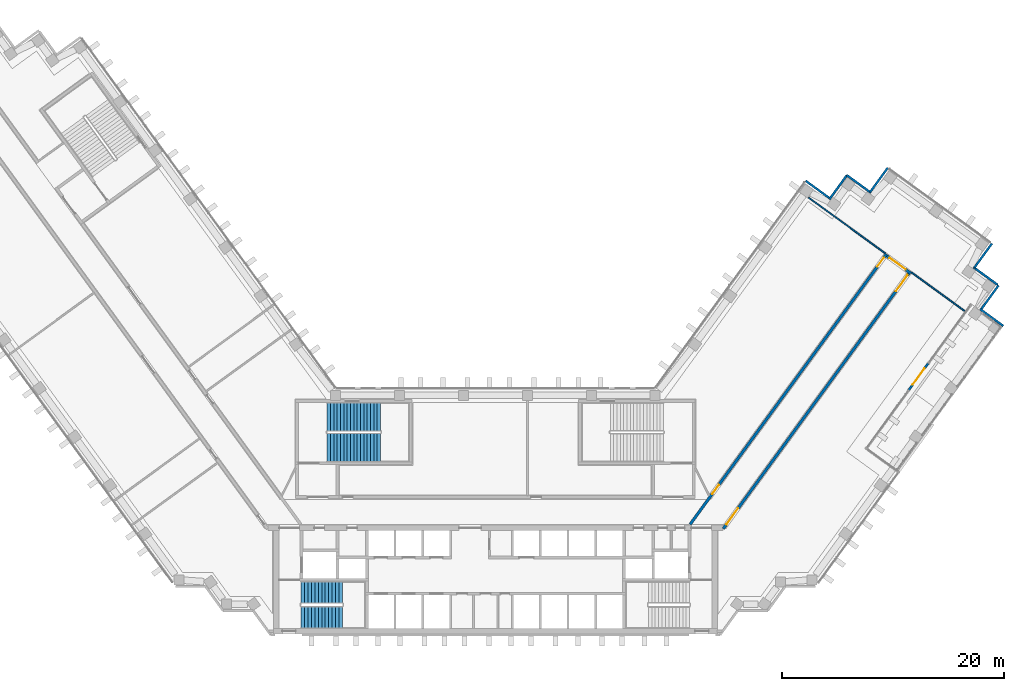
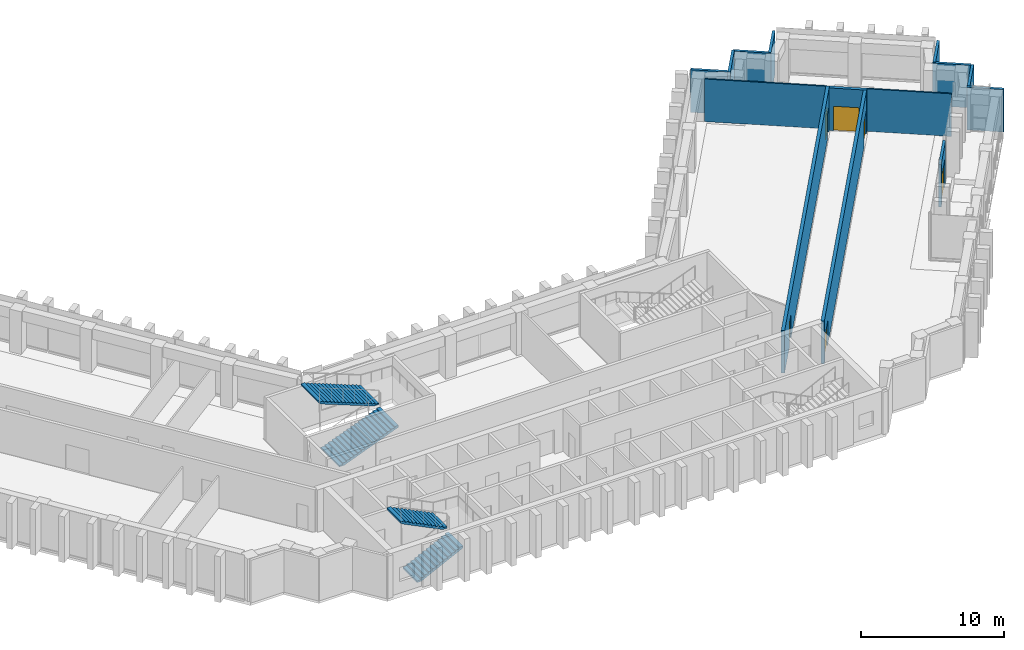
# One storey, part 10 of 14: 14 walls, 6 doors, 4 stair flights, 6 openings, 2 elements without a shape of their own.
"""IFC4 building model written with IfcOpenShell, lengths in metres."""

from ifc_helpers import new_model, si_unit, direction, frame, frame_2d, origin, place, context, subcontext, project, spatial, polyline, rectangle, outline, extrude, material, layer, layer_set, type_object, element, fill, aggregate, save


model = new_model("IFC4")

# Units and contexts
model_context = context("Model", 3, precision=1e-05, world=origin(), true_north=direction((0.0, 1.0)))
body_context = subcontext(model_context, "Body", "Model", "MODEL_VIEW")
ifc_project = project(units=[si_unit("LENGTHUNIT", "METRE"), si_unit("AREAUNIT", "SQUARE_METRE"), si_unit("VOLUMEUNIT", "CUBIC_METRE"), si_unit("PLANEANGLEUNIT", "RADIAN"), si_unit("MASSUNIT", "GRAM", prefix="KILO")], contexts=[model_context])

# Site, building, storey
site_placement = place(None, origin())
site = spatial("IfcSite", under=ifc_project, at=site_placement, CompositionType="ELEMENT")
building_placement = place(site_placement, origin())
building = spatial("IfcBuilding", under=site, at=building_placement, Name="Quipu Civic Tower", CompositionType="ELEMENT")
storey_placement = place(building_placement, frame((0.0, 0.0, 93.0)))
storey = spatial("IfcBuildingStorey", under=building, at=storey_placement, Name="L21", CompositionType="ELEMENT", Elevation=93.0)

# Wall, openings, doors
ifc_material_1 = material(Name="Concrete C50/60", Category="concrete")
ifc_layer_1 = layer(ifc_material_1, 0.25)
ifc_layer_set_1 = layer_set([ifc_layer_1], Name="Concrete C50/60")
wall_type_1 = type_object("IfcWallType", Name="Corridor wall 250 concrete", PredefinedType="SOLIDWALL", material=ifc_layer_set_1)
wall_1_placement = place(storey_placement, frame((17.544921875, -1.124755859375, 0.0), z_axis=(0.0, 0.0, 1.0), x_axis=(0.587786330937, 0.809016210693, 0.0)))
wall_1 = element("IfcWall", 1, at=wall_1_placement, inside=storey, type_object=wall_type_1, Name="Corridor wall C05", PredefinedType="SOLIDWALL", context=body_context, shape_type="SweptSolid", body=[
    extrude(rectangle(XDim=30.10302734375, YDim=0.25, at=frame_2d((15.051513671875, 0.0))), origin(), (0.0, 0.0, 1.0), 3.64990234375),
])
opening_1_placement = place(wall_1_placement, frame((28.678955078125, 0.0, 0.0)))
opening_1 = element("IfcOpeningElement", 2, at=opening_1_placement, cuts=wall_1, Name="Opening D001", PredefinedType="OPENING", context=body_context, shape_type="SweptSolid", body=[
    extrude(rectangle(XDim=1.0, YDim=2.10009765625, at=frame_2d((0.5, 1.050048828125))), frame((0.0, 0.135009765625, 0.0), z_axis=(0.0, -1.0, 0.0), x_axis=(1.0, 0.0, 0.0)), (0.0, 0.0, 1.0), 0.27001953125),
])
opening_2_placement = place(wall_1_placement, frame((3.391357421875, 0.0, 0.0)))
opening_2 = element("IfcOpeningElement", 3, at=opening_2_placement, cuts=wall_1, Name="Opening D002", PredefinedType="OPENING", context=body_context, shape_type="SweptSolid", body=[
    extrude(rectangle(XDim=1.0, YDim=2.10009765625, at=frame_2d((0.5, 1.050048828125))), frame((0.0, 0.135009765625, 0.0), z_axis=(0.0, -1.0, 0.0), x_axis=(1.0, 0.0, 0.0)), (0.0, 0.0, 1.0), 0.27001953125),
])
ifc_material_2 = material(Name="Fire rated timber door set with metal frame", Category="wood")
door_type_1 = type_object("IfcDoorType", Name="Single door 1000 x 2100 FD60", OperationType="NOTDEFINED", PredefinedType="DOOR", material=ifc_material_2)
door_1_placement = place(opening_1_placement, origin())
door_1 = element("IfcDoor", 4, at=door_1_placement, inside=storey, type_object=door_type_1, Name="Door D001", OperationType="SINGLE_SWING_RIGHT", OverallHeight=2.10009765625, OverallWidth=1.0, PredefinedType="DOOR", context=body_context, shape_type="SweptSolid", body=[
    extrude(rectangle(XDim=1.0, YDim=2.10009765625, at=frame_2d((0.5, 1.050048828125))), frame((0.0, 0.02490234375, 0.0), z_axis=(0.0, -1.0, 0.0), x_axis=(1.0, 0.0, 0.0)), (0.0, 0.0, 1.0), 0.050048828125),
])
fill(opening_1, door_1)
door_2_placement = place(opening_2_placement, origin())
door_2 = element("IfcDoor", 5, at=door_2_placement, inside=storey, type_object=door_type_1, Name="Door D002", OperationType="SINGLE_SWING_LEFT", OverallHeight=2.10009765625, OverallWidth=1.0, PredefinedType="DOOR", context=body_context, shape_type="SweptSolid", body=[
    extrude(rectangle(XDim=1.0, YDim=2.10009765625, at=frame_2d((0.5, 1.050048828125))), frame((0.0, 0.02490234375, 0.0), z_axis=(0.0, -1.0, 0.0), x_axis=(1.0, 0.0, 0.0)), (0.0, 0.0, 1.0), 0.050048828125),
])
fill(opening_2, door_2)

# Wall, opening, door
wall_2_placement = place(storey_placement, frame((35.2666015625, 23.054443359375, 0.0), z_axis=(0.0, 0.0, 1.0), x_axis=(0.809038743598, -0.587755315891, 0.0)))
wall_2 = element("IfcWall", 6, at=wall_2_placement, inside=storey, type_object=wall_type_1, Name="Corridor wall C06", PredefinedType="SOLIDWALL", context=body_context, shape_type="SweptSolid", body=[
    extrude(rectangle(XDim=2.650146484375, YDim=0.25, at=frame_2d((1.3251953125, 0.0))), origin(), (0.0, 0.0, 1.0), 3.64990234375),
])
opening_3_placement = place(wall_2_placement, frame((0.300048828125, 0.0, 0.0)))
opening_3 = element("IfcOpeningElement", 7, at=opening_3_placement, cuts=wall_2, Name="Opening D005", PredefinedType="OPENING", context=body_context, shape_type="SweptSolid", body=[
    extrude(rectangle(XDim=1.800048828125, YDim=2.10009765625, at=frame_2d((0.89990234375, 1.050048828125))), frame((0.0, 0.135009765625, 0.0), z_axis=(0.0, -1.0, 0.0), x_axis=(1.0, 0.0, 0.0)), (0.0, 0.0, 1.0), 0.27001953125),
])
ifc_material_3 = material(Name="Fire rated timber door set with metal frame", Category="wood")
door_type_2 = type_object("IfcDoorType", Name="Double door 1800 x 2100 FD60", OperationType="DOUBLE_DOOR_SINGLE_SWING", PredefinedType="DOOR", material=ifc_material_3)
door_3_placement = place(opening_3_placement, origin())
door_3 = element("IfcDoor", 8, at=door_3_placement, inside=storey, type_object=door_type_2, Name="Door D005", OperationType="DOUBLE_DOOR_SINGLE_SWING", OverallHeight=2.10009765625, OverallWidth=1.800048828125, PredefinedType="DOOR", context=body_context, shape_type="SweptSolid", body=[
    extrude(rectangle(XDim=1.800048828125, YDim=2.10009765625, at=frame_2d((0.89990234375, 1.050048828125))), frame((0.0, 0.02490234375, 0.0), z_axis=(0.0, -1.0, 0.0), x_axis=(1.0, 0.0, 0.0)), (0.0, 0.0, 1.0), 0.050048828125),
])
fill(opening_3, door_3)

# Wall, openings, doors
wall_3_placement = place(storey_placement, frame((37.236083984375, 21.46923828125, 0.0), z_axis=(0.0, 0.0, 1.0), x_axis=(-0.58778344073, -0.809018310549, 0.0)))
wall_3 = element("IfcWall", 9, at=wall_3_placement, inside=storey, type_object=wall_type_1, Name="Corridor wall C07", PredefinedType="SOLIDWALL", context=body_context, shape_type="SweptSolid", body=[
    extrude(rectangle(XDim=28.42041015625, YDim=0.25, at=frame_2d((14.210205078125, 0.0))), origin(), (0.0, 0.0, 1.0), 3.64990234375),
])
opening_4_placement = place(wall_3_placement, frame((26.137451171875, 0.0, 0.0)))
opening_4 = element("IfcOpeningElement", 10, at=opening_4_placement, cuts=wall_3, Name="Opening D003", PredefinedType="OPENING", context=body_context, shape_type="SweptSolid", body=[
    extrude(rectangle(XDim=1.800048828125, YDim=2.10009765625, at=frame_2d((0.89990234375, 1.050048828125))), frame((0.0, 0.135009765625, 0.0), z_axis=(0.0, -1.0, 0.0), x_axis=(1.0, 0.0, 0.0)), (0.0, 0.0, 1.0), 0.27001953125),
])
opening_5_placement = place(wall_3_placement, frame((0.174560546875, 0.0, 0.0)))
opening_5 = element("IfcOpeningElement", 11, at=opening_5_placement, cuts=wall_3, Name="Opening D004", PredefinedType="OPENING", context=body_context, shape_type="SweptSolid", body=[
    extrude(rectangle(XDim=1.800048828125, YDim=2.10009765625, at=frame_2d((0.89990234375, 1.050048828125))), frame((0.0, 0.135009765625, 0.0), z_axis=(0.0, -1.0, 0.0), x_axis=(1.0, 0.0, 0.0)), (0.0, 0.0, 1.0), 0.27001953125),
])
door_4_placement = place(opening_4_placement, origin())
door_4 = element("IfcDoor", 12, at=door_4_placement, inside=storey, type_object=door_type_2, Name="Door D003", OperationType="DOUBLE_DOOR_SINGLE_SWING", OverallHeight=2.10009765625, OverallWidth=1.800048828125, PredefinedType="DOOR", context=body_context, shape_type="SweptSolid", body=[
    extrude(rectangle(XDim=1.800048828125, YDim=2.10009765625, at=frame_2d((0.89990234375, 1.050048828125))), frame((0.0, 0.02490234375, 0.0), z_axis=(0.0, -1.0, 0.0), x_axis=(1.0, 0.0, 0.0)), (0.0, 0.0, 1.0), 0.050048828125),
])
fill(opening_4, door_4)
door_5_placement = place(opening_5_placement, origin())
door_5 = element("IfcDoor", 13, at=door_5_placement, inside=storey, type_object=door_type_2, Name="Door D004", OperationType="DOUBLE_DOOR_SINGLE_SWING", OverallHeight=2.10009765625, OverallWidth=1.800048828125, PredefinedType="DOOR", context=body_context, shape_type="SweptSolid", body=[
    extrude(rectangle(XDim=1.800048828125, YDim=2.10009765625, at=frame_2d((0.89990234375, 1.050048828125))), frame((0.0, 0.02490234375, 0.0), z_axis=(0.0, -1.0, 0.0), x_axis=(1.0, 0.0, 0.0)), (0.0, 0.0, 1.0), 0.050048828125),
])
fill(opening_5, door_5)

# Walls
ifc_material_4 = material(Name="Gypsum plasterboard on light gauge framing")
ifc_layer_2 = layer(ifc_material_4, 0.1201171875)
ifc_layer_set_2 = layer_set([ifc_layer_2], Name="Gypsum plasterboard on light gauge framing")
wall_type_2 = type_object("IfcWallType", Name="Partition 120 plasterboard", PredefinedType="PARTITIONING", material=ifc_layer_set_2)
wall_4_placement = place(storey_placement, frame((35.1259765625, 23.286376953125, 0.0), z_axis=(0.0, 0.0, 1.0), x_axis=(-0.809022465264, 0.587777722186, 0.0)))
element("IfcWall", 14, at=wall_4_placement, inside=storey, type_object=wall_type_2, Name="Partition P04", PredefinedType="PARTITIONING", context=body_context, shape_type="SweptSolid", body=[
    extrude(rectangle(XDim=8.5498046875, YDim=0.1201171875, at=frame_2d((4.27490234375, 0.0))), origin(), (0.0, 0.0, 1.0), 3.64990234375),
])
wall_5_placement = place(storey_placement, frame((42.285888671875, 18.08447265625, 0.0), z_axis=(0.0, 0.0, 1.0), x_axis=(-0.809021658133, 0.587778833127, 0.0)))
element("IfcWall", 15, at=wall_5_placement, inside=storey, type_object=wall_type_2, Name="Partition P06", PredefinedType="PARTITIONING", context=body_context, shape_type="SweptSolid", body=[
    extrude(rectangle(XDim=5.949951171875, YDim=0.1201171875, at=frame_2d((2.97509765625, 0.0))), origin(), (0.0, 0.0, 1.0), 3.64990234375),
])
ifc_material_5 = material(Name="Precast concrete C40/50", Category="concrete")
wall_type_3 = type_object("IfcWallType", Name="Precast cladding wall", PredefinedType="SOLIDWALL", material=ifc_material_5)
for number, where, z_axis, x_axis, name in (
    (16, (43.148681640625, 21.993896484375, 0.0), (0.0, 0.0, 1.0), (0.587822180636, 0.808990163075, 0.0), "Precast cladding wall L21 P01"),
    (17, (35.351318359375, 30.99658203125, 0.0), (0.0, 0.0, 1.0), (-0.587822180636, -0.808990163075, 0.0), "Precast cladding wall L21 P03"),
    (18, (33.837890625, 28.743896484375, 0.0), (0.0, 0.0, 1.0), (-0.809033161865, 0.587762999008, 0.0), "Precast cladding wall L21 P04"),
    (19, (31.67041015625, 30.33349609375, 0.0), (0.0, 0.0, 1.0), (-0.587762999008, -0.809033161865, 0.0), "Precast cladding wall L21 P05"),
    (20, (30.132568359375, 28.237060546875, 0.0), (0.0, 0.0, 1.0), (-0.808990163075, 0.587822180636, 0.0), "Precast cladding wall L21 P06"),
):
    element("IfcWall", number, at=place(storey_placement, frame(where, z_axis=z_axis, x_axis=x_axis)), inside=storey, type_object=wall_type_3, Name=name, PredefinedType="SOLIDWALL", context=body_context, shape_type="SweptSolid", body=[
        extrude(rectangle(XDim=2.699951171875, YDim=0.199951171875, at=frame_2d((1.35009765625, 0.0))), origin(), (0.0, 0.0, 1.0), 3.64990234375),
    ])
wall_6_placement = place(storey_placement, frame((45.761474609375, 16.743408203125, 0.0), z_axis=(0.0, 0.0, 1.0), x_axis=(-0.808979656733, 0.587836639716, 0.0)))
element("IfcWall", 21, at=wall_6_placement, inside=storey, type_object=wall_type_3, Name="Precast cladding wall L21 8", PredefinedType="SOLIDWALL", context=body_context, shape_type="SweptSolid", body=[
    extrude(rectangle(XDim=2.599853515625, YDim=0.199951171875, at=frame_2d((1.2998046875, 0.0))), origin(), (0.0, 0.0, 1.0), 3.64990234375),
])
for number, where, z_axis, x_axis, name in (
    (22, (43.74609375, 18.22265625, 0.0), (0.0, 0.0, 1.0), (0.587762999008, 0.809033161865, 0.0), "Precast cladding wall L21 9"),
    (23, (45.2451171875, 20.4560546875, 0.0), (0.0, 0.0, 1.0), (-0.809033161865, 0.587762999008, 0.0), "Precast cladding wall L21 10"),
):
    element("IfcWall", number, at=place(storey_placement, frame(where, z_axis=z_axis, x_axis=x_axis)), inside=storey, type_object=wall_type_3, Name=name, PredefinedType="SOLIDWALL", context=body_context, shape_type="SweptSolid", body=[
        extrude(rectangle(XDim=2.699951171875, YDim=0.199951171875, at=frame_2d((1.35009765625, 0.0))), origin(), (0.0, 0.0, 1.0), 3.64990234375),
    ])

# Wall, opening, door
ifc_material_6 = material(Name="Precast concrete C40/50", Category="concrete")
wall_type_4 = type_object("IfcWallType", Name="Precast door surround", PredefinedType="SOLIDWALL", material=ifc_material_6)
wall_7_placement = place(storey_placement, frame((38.98779296875, 13.374755859375, 0.0), z_axis=(0.0, 0.0, 1.0), x_axis=(-0.587735577821, -0.809053082661, 0.0)))
wall_7 = element("IfcWall", 24, at=wall_7_placement, inside=storey, type_object=wall_type_4, Name="Door surround ED-L21-1", PredefinedType="SOLIDWALL", context=body_context, shape_type="SweptSolid", body=[
    extrude(rectangle(XDim=2.962890625, YDim=0.199951171875, at=frame_2d((1.4814453125, 0.0))), origin(), (0.0, 0.0, 1.0), 3.64990234375),
])
opening_6_placement = place(wall_7_placement, frame((0.58154296875, 0.0, 0.0)))
opening_6 = element("IfcOpeningElement", 25, at=opening_6_placement, cuts=wall_7, Name="Opening ED-L21-1", PredefinedType="OPENING", context=body_context, shape_type="SweptSolid", body=[
    extrude(rectangle(XDim=1.800048828125, YDim=2.39990234375, at=frame_2d((0.89990234375, 1.199951171875))), frame((0.0, 0.10986328125, 0.0), z_axis=(0.0, -1.0, 0.0), x_axis=(1.0, 0.0, 0.0)), (0.0, 0.0, 1.0), 0.219970703125),
])
ifc_material_7 = material(Name="Aluminium framed glazed door", Category="aluminium")
door_type_3 = type_object("IfcDoorType", Name="Terrace door E3", OperationType="DOUBLE_DOOR_SINGLE_SWING", PredefinedType="DOOR", material=ifc_material_7)
door_6_placement = place(opening_6_placement, origin())
door_6 = element("IfcDoor", 26, at=door_6_placement, inside=storey, type_object=door_type_3, Name="E3 door ED-L21-1", OperationType="DOUBLE_DOOR_SINGLE_SWING", OverallHeight=2.39990234375, OverallWidth=1.800048828125, PredefinedType="DOOR", context=body_context, shape_type="SweptSolid", body=[
    extrude(rectangle(XDim=1.800048828125, YDim=2.39990234375, at=frame_2d((0.89990234375, 1.199951171875))), frame((0.0, 0.02490234375, 0.0), z_axis=(0.0, -1.0, 0.0), x_axis=(1.0, 0.0, 0.0)), (0.0, 0.0, 1.0), 0.050048828125),
])
fill(opening_6, door_6)

# Stair, stair flights
ifc_material_8 = material(Name="Concrete C40/50", Category="concrete")
stair_type_1 = type_object("IfcStairType", Name="Half turn stair 2000", PredefinedType="HALF_TURN_STAIR", material=ifc_material_8)
stair_1_placement = place(storey_placement, origin())
stair_1 = element("IfcStair", 27, at=stair_1_placement, inside=storey, type_object=stair_type_1, Name="Exit stair 1", PredefinedType="HALF_TURN_STAIR")
ifc_material_9 = material(Name="Concrete C40/50", Category="concrete")
stair_flight_type_1 = type_object("IfcStairFlightType", Name="Stair flight 2000", PredefinedType="STRAIGHT", material=ifc_material_9)
stair_flight_1_placement = place(storey_placement, frame((-17.5, -9.5, 0.0), z_axis=(0.0, 0.0, 1.0), x_axis=(1.0, 0.0, 0.0)))
stair_flight_1 = element("IfcStairFlight", 28, at=stair_flight_1_placement, type_object=stair_flight_type_1, Name="ST-1 flight 1", NumberOfRisers=13, NumberOfTreads=12, PredefinedType="STRAIGHT", RiserHeight=0.153846154, TreadLength=0.31, context=body_context, shape_type="SweptSolid", body=[
    extrude(outline(polyline([(0.0, 0.0), (0.0, 0.15380859375), (0.31005859375, 0.15380859375), (0.31005859375, 0.3076171875), (0.6201171875, 0.3076171875), (0.6201171875, 0.46142578125), (0.929931640625, 0.46142578125), (0.929931640625, 0.615478515625), (1.239990234375, 0.615478515625), (1.239990234375, 0.769287109375), (1.550048828125, 0.769287109375), (1.550048828125, 0.923095703125), (1.860107421875, 0.923095703125), (1.860107421875, 1.076904296875), (2.169921875, 1.076904296875), (2.169921875, 1.230712890625), (2.47998046875, 1.230712890625), (2.47998046875, 1.384521484375), (2.7900390625, 1.384521484375), (2.7900390625, 1.53857421875), (3.10009765625, 1.53857421875), (3.10009765625, 1.6923828125), (3.409912109375, 1.6923828125), (3.409912109375, 1.84619140625), (3.719970703125, 1.84619140625), (3.719970703125, 2.0), (3.719970703125, 1.6787109375), (0.337158203125, 0.0), (0.0, 0.0)])), frame((0.0, 1.0, 0.0), z_axis=(0.0, -1.0, 0.0), x_axis=(1.0, 0.0, 0.0)), (0.0, 0.0, 1.0), 2.0),
])
stair_flight_2_placement = place(storey_placement, frame((-13.780029296875, -7.25, 2.0), z_axis=(0.0, 0.0, 1.0), x_axis=(-1.0, 0.0, 0.0)))
stair_flight_2 = element("IfcStairFlight", 29, at=stair_flight_2_placement, type_object=stair_flight_type_1, Name="ST-1 flight 2", NumberOfRisers=13, NumberOfTreads=12, PredefinedType="STRAIGHT", RiserHeight=0.153846154, TreadLength=0.31, context=body_context, shape_type="SweptSolid", body=[
    extrude(outline(polyline([(0.0, 0.0), (0.0, 0.15380859375), (0.31005859375, 0.15380859375), (0.31005859375, 0.3076171875), (0.6201171875, 0.3076171875), (0.6201171875, 0.46142578125), (0.929931640625, 0.46142578125), (0.929931640625, 0.615478515625), (1.239990234375, 0.615478515625), (1.239990234375, 0.769287109375), (1.550048828125, 0.769287109375), (1.550048828125, 0.923095703125), (1.860107421875, 0.923095703125), (1.860107421875, 1.076904296875), (2.169921875, 1.076904296875), (2.169921875, 1.230712890625), (2.47998046875, 1.230712890625), (2.47998046875, 1.384521484375), (2.7900390625, 1.384521484375), (2.7900390625, 1.53857421875), (3.10009765625, 1.53857421875), (3.10009765625, 1.6923828125), (3.409912109375, 1.6923828125), (3.409912109375, 1.84619140625), (3.719970703125, 1.84619140625), (3.719970703125, 2.0), (3.719970703125, 1.6787109375), (0.337158203125, 0.0), (0.0, 0.0)])), frame((0.0, 1.0, 0.0), z_axis=(0.0, -1.0, 0.0), x_axis=(1.0, 0.0, 0.0)), (0.0, 0.0, 1.0), 2.0),
])
aggregate(stair_1, [stair_flight_1, stair_flight_2])

ifc_material_10 = material(Name="Concrete C40/50", Category="concrete")
stair_type_2 = type_object("IfcStairType", Name="Half turn stair 2600", PredefinedType="HALF_TURN_STAIR", material=ifc_material_10)
stair_2_placement = place(storey_placement, origin())
stair_2 = element("IfcStair", 30, at=stair_2_placement, inside=storey, type_object=stair_type_2, Name="Exit stair 3", PredefinedType="HALF_TURN_STAIR")
ifc_material_11 = material(Name="Concrete C40/50", Category="concrete")
stair_flight_type_2 = type_object("IfcStairFlightType", Name="Stair flight 2600", PredefinedType="STRAIGHT", material=ifc_material_11)
stair_flight_3_placement = place(storey_placement, frame((-15.14990234375, 5.800048828125, 0.0), z_axis=(0.0, 0.0, 1.0), x_axis=(1.0, 0.0, 0.0)))
stair_flight_3 = element("IfcStairFlight", 31, at=stair_flight_3_placement, type_object=stair_flight_type_2, Name="ST-3 flight 1", NumberOfRisers=17, NumberOfTreads=16, PredefinedType="STRAIGHT", RiserHeight=0.117647059, TreadLength=0.3, context=body_context, shape_type="SweptSolid", body=[
    extrude(outline(polyline([(0.0, 0.0), (0.0, 0.11767578125), (0.300048828125, 0.11767578125), (0.300048828125, 0.2353515625), (0.60009765625, 0.2353515625), (0.60009765625, 0.35302734375), (0.89990234375, 0.35302734375), (0.89990234375, 0.470703125), (1.199951171875, 0.470703125), (1.199951171875, 0.588134765625), (1.5, 0.588134765625), (1.5, 0.705810546875), (1.800048828125, 0.705810546875), (1.800048828125, 0.823486328125), (2.10009765625, 0.823486328125), (2.10009765625, 0.941162109375), (2.39990234375, 0.941162109375), (2.39990234375, 1.058837890625), (2.699951171875, 1.058837890625), (2.699951171875, 1.176513671875), (3.0, 1.176513671875), (3.0, 1.294189453125), (3.300048828125, 1.294189453125), (3.300048828125, 1.411865234375), (3.60009765625, 1.411865234375), (3.60009765625, 1.529296875), (3.89990234375, 1.529296875), (3.89990234375, 1.64697265625), (4.199951171875, 1.64697265625), (4.199951171875, 1.7646484375), (4.5, 1.7646484375), (4.5, 1.88232421875), (4.800048828125, 1.88232421875), (4.800048828125, 2.0), (4.800048828125, 1.721435546875), (0.41064453125, 0.0), (0.0, 0.0)])), frame((0.0, 1.300048828125, 0.0), z_axis=(0.0, -1.0, 0.0), x_axis=(1.0, 0.0, 0.0)), (0.0, 0.0, 1.0), 2.60009765625),
])
stair_flight_4_placement = place(storey_placement, frame((-10.35009765625, 8.550048828125, 2.0), z_axis=(0.0, 0.0, 1.0), x_axis=(-1.0, 0.0, 0.0)))
stair_flight_4 = element("IfcStairFlight", 32, at=stair_flight_4_placement, type_object=stair_flight_type_2, Name="ST-3 flight 2", NumberOfRisers=17, NumberOfTreads=16, PredefinedType="STRAIGHT", RiserHeight=0.117647059, TreadLength=0.3, context=body_context, shape_type="SweptSolid", body=[
    extrude(outline(polyline([(0.0, 0.0), (0.0, 0.11767578125), (0.300048828125, 0.11767578125), (0.300048828125, 0.2353515625), (0.60009765625, 0.2353515625), (0.60009765625, 0.35302734375), (0.89990234375, 0.35302734375), (0.89990234375, 0.470703125), (1.199951171875, 0.470703125), (1.199951171875, 0.588134765625), (1.5, 0.588134765625), (1.5, 0.705810546875), (1.800048828125, 0.705810546875), (1.800048828125, 0.823486328125), (2.10009765625, 0.823486328125), (2.10009765625, 0.941162109375), (2.39990234375, 0.941162109375), (2.39990234375, 1.058837890625), (2.699951171875, 1.058837890625), (2.699951171875, 1.176513671875), (3.0, 1.176513671875), (3.0, 1.294189453125), (3.300048828125, 1.294189453125), (3.300048828125, 1.411865234375), (3.60009765625, 1.411865234375), (3.60009765625, 1.529296875), (3.89990234375, 1.529296875), (3.89990234375, 1.64697265625), (4.199951171875, 1.64697265625), (4.199951171875, 1.7646484375), (4.5, 1.7646484375), (4.5, 1.88232421875), (4.800048828125, 1.88232421875), (4.800048828125, 2.0), (4.800048828125, 1.721435546875), (0.41064453125, 0.0), (0.0, 0.0)])), frame((0.0, 1.300048828125, 0.0), z_axis=(0.0, -1.0, 0.0), x_axis=(1.0, 0.0, 0.0)), (0.0, 0.0, 1.0), 2.60009765625),
])
aggregate(stair_2, [stair_flight_3, stair_flight_4])

save(model, "model.ifc")
